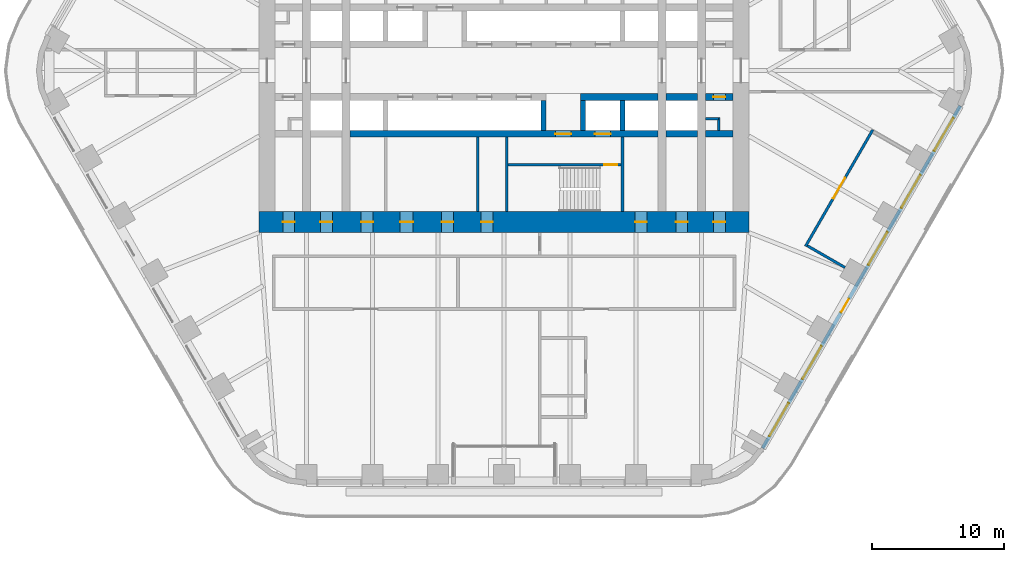
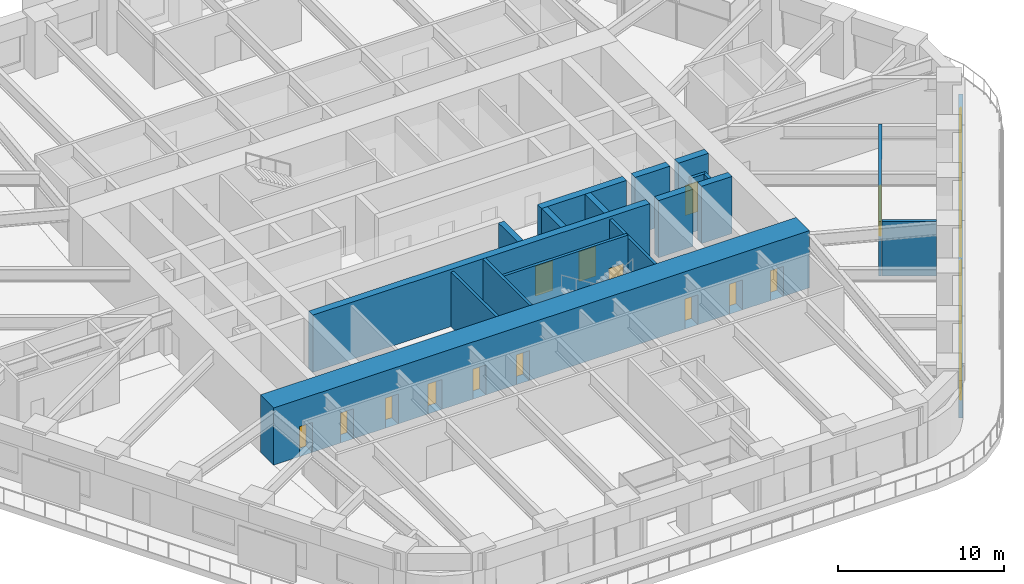
# One storey, part 18 of 24: 19 walls, 15 doors, 5 windows, 20 openings.
"""IFC4 building model written with IfcOpenShell, lengths in metres."""

from ifc_helpers import new_model, si_unit, direction, frame, frame_2d, origin, place, context, subcontext, project, spatial, rectangle, extrude, material, layer, layer_set, type_object, element, fill, save


model = new_model("IFC4")

# Units and contexts
model_context = context("Model", 3, precision=1e-05, world=origin(), true_north=direction((0.0, 1.0)))
body_context = subcontext(model_context, "Body", "Model", "MODEL_VIEW")
ifc_project = project(units=[si_unit("LENGTHUNIT", "METRE"), si_unit("AREAUNIT", "SQUARE_METRE"), si_unit("VOLUMEUNIT", "CUBIC_METRE"), si_unit("PLANEANGLEUNIT", "RADIAN"), si_unit("MASSUNIT", "GRAM", prefix="KILO")], contexts=[model_context])

# Site, building, storey
site_placement = place(None, origin())
site = spatial("IfcSite", under=ifc_project, at=site_placement, CompositionType="ELEMENT")
building_placement = place(site_placement, origin())
building = spatial("IfcBuilding", under=site, at=building_placement, Name="Tarfa Lantern Tower", CompositionType="ELEMENT")
storey_placement = place(building_placement, frame((0.0, 0.0, 157.300048828125)))
storey = spatial("IfcBuildingStorey", under=building, at=storey_placement, Name="L35", CompositionType="ELEMENT", Elevation=157.300048828125)

# Wall, openings, door, windows
ifc_material_1 = material(Name="Limestone cladding on blockwork", Category="masonry")
ifc_layer_1 = layer(ifc_material_1, 0.300048828125)
ifc_layer_set_1 = layer_set([ifc_layer_1], Name="EW1 STONE-CLAD WALL 300")
wall_type_1 = type_object("IfcWallType", Name="EW1 STONE-CLAD WALL 300", PredefinedType="SOLIDWALL", material=ifc_layer_set_1)
wall_1_placement = place(storey_placement, frame((19.644287109375, -28.675048828125, 0.0), z_axis=(0.0, 0.0, 1.0), x_axis=(0.500003084452, 0.866023622968, 0.0)))
wall_1 = element("IfcWall", 1, at=wall_1_placement, inside=storey, type_object=wall_type_1, Name="Stone wall SE", PredefinedType="SOLIDWALL", context=body_context, shape_type="SweptSolid", body=[
    extrude(rectangle(XDim=30.022216796875, YDim=0.300048828125, at=frame_2d((15.01123046875, 0.0))), origin(), (0.0, 0.0, 1.0), 2.75),
])
opening_1_placement = place(wall_1_placement, frame((1.0517578125, 0.0, 0.60009765625)))
opening_1 = element("IfcOpeningElement", 2, at=opening_1_placement, cuts=wall_1, Name="Opening W9", PredefinedType="OPENING", context=body_context, shape_type="SweptSolid", body=[
    extrude(rectangle(XDim=2.89990234375, YDim=1.89990234375, at=frame_2d((1.449951171875, 0.949951171875))), frame((0.0, 0.159912109375, 0.0), z_axis=(0.0, -1.0, 0.0), x_axis=(1.0, 0.0, 0.0)), (0.0, 0.0, 1.0), 0.320068359375),
])
opening_2_placement = place(wall_1_placement, frame((6.0556640625, 0.0, 0.60009765625)))
opening_2 = element("IfcOpeningElement", 3, at=opening_2_placement, cuts=wall_1, Name="Opening W9", PredefinedType="OPENING", context=body_context, shape_type="SweptSolid", body=[
    extrude(rectangle(XDim=2.89990234375, YDim=1.89990234375, at=frame_2d((1.449951171875, 0.949951171875))), frame((0.0, 0.159912109375, 0.0), z_axis=(0.0, -1.0, 0.0), x_axis=(1.0, 0.0, 0.0)), (0.0, 0.0, 1.0), 0.320068359375),
])
opening_3_placement = place(wall_1_placement, frame((11.9091796875, 0.0, 0.0)))
opening_3 = element("IfcOpeningElement", 4, at=opening_3_placement, cuts=wall_1, Name="Opening D49", PredefinedType="OPENING", context=body_context, shape_type="SweptSolid", body=[
    extrude(rectangle(XDim=1.199951171875, YDim=2.39990234375, at=frame_2d((0.60009765625, 1.199951171875))), frame((0.0, 0.159912109375, 0.0), z_axis=(0.0, -1.0, 0.0), x_axis=(1.0, 0.0, 0.0)), (0.0, 0.0, 1.0), 0.320068359375),
])
opening_4_placement = place(wall_1_placement, frame((16.06298828125, 0.0, 0.60009765625)))
opening_4 = element("IfcOpeningElement", 5, at=opening_4_placement, cuts=wall_1, Name="Opening W9", PredefinedType="OPENING", context=body_context, shape_type="SweptSolid", body=[
    extrude(rectangle(XDim=2.89990234375, YDim=1.89990234375, at=frame_2d((1.449951171875, 0.949951171875))), frame((0.0, 0.159912109375, 0.0), z_axis=(0.0, -1.0, 0.0), x_axis=(1.0, 0.0, 0.0)), (0.0, 0.0, 1.0), 0.320068359375),
])
opening_5_placement = place(wall_1_placement, frame((21.066650390625, 0.0, 0.60009765625)))
opening_5 = element("IfcOpeningElement", 6, at=opening_5_placement, cuts=wall_1, Name="Opening W9", PredefinedType="OPENING", context=body_context, shape_type="SweptSolid", body=[
    extrude(rectangle(XDim=2.89990234375, YDim=1.89990234375, at=frame_2d((1.449951171875, 0.949951171875))), frame((0.0, 0.159912109375, 0.0), z_axis=(0.0, -1.0, 0.0), x_axis=(1.0, 0.0, 0.0)), (0.0, 0.0, 1.0), 0.320068359375),
])
opening_6_placement = place(wall_1_placement, frame((26.0703125, 0.0, 0.60009765625)))
opening_6 = element("IfcOpeningElement", 7, at=opening_6_placement, cuts=wall_1, Name="Opening W9", PredefinedType="OPENING", context=body_context, shape_type="SweptSolid", body=[
    extrude(rectangle(XDim=2.89990234375, YDim=1.89990234375, at=frame_2d((1.449951171875, 0.949951171875))), frame((0.0, 0.159912109375, 0.0), z_axis=(0.0, -1.0, 0.0), x_axis=(1.0, 0.0, 0.0)), (0.0, 0.0, 1.0), 0.320068359375),
])
ifc_material_2 = material(Name="Aluminium framed glazed door", Category="aluminium")
door_type_1 = type_object("IfcDoorType", Name="BE3 BALCONY DOOR 1200x2400", OperationType="SINGLE_SWING_RIGHT", PredefinedType="DOOR", material=ifc_material_2)
door_1_placement = place(opening_3_placement, origin())
door_1 = element("IfcDoor", 8, at=door_1_placement, inside=storey, type_object=door_type_1, Name="Balcony door SE", OperationType="SINGLE_SWING_LEFT", OverallHeight=2.39990234375, OverallWidth=1.199951171875, PredefinedType="DOOR", context=body_context, shape_type="SweptSolid", body=[
    extrude(rectangle(XDim=1.199951171875, YDim=2.39990234375, at=frame_2d((0.60009765625, 1.199951171875))), frame((0.0, 0.02490234375, 0.0), z_axis=(0.0, -1.0, 0.0), x_axis=(1.0, 0.0, 0.0)), (0.0, 0.0, 1.0), 0.050048828125),
])
fill(opening_3, door_1)
ifc_material_3 = material(Name="Aluminium frame, double glazed", Category="aluminium")
window_type = type_object("IfcWindowType", Name="W9 FULL-HEIGHT GLAZING 2900x1900", PartitioningType="SINGLE_PANEL", PredefinedType="WINDOW", material=ifc_material_3)
window_1_placement = place(opening_1_placement, origin())
window_1 = element("IfcWindow", 9, at=window_1_placement, inside=storey, type_object=window_type, Name="Window SE 1", OverallHeight=1.89990234375, OverallWidth=2.89990234375, PartitioningType="SINGLE_PANEL", PredefinedType="WINDOW", context=body_context, shape_type="SweptSolid", body=[
    extrude(rectangle(XDim=2.89990234375, YDim=1.89990234375, at=frame_2d((1.449951171875, 0.949951171875))), frame((0.0, 0.030029296875, 0.0), z_axis=(0.0, -1.0, 0.0), x_axis=(1.0, 0.0, 0.0)), (0.0, 0.0, 1.0), 0.06005859375),
])
fill(opening_1, window_1)
window_2_placement = place(opening_2_placement, origin())
window_2 = element("IfcWindow", 10, at=window_2_placement, inside=storey, type_object=window_type, Name="Window SE 2", OverallHeight=1.89990234375, OverallWidth=2.89990234375, PartitioningType="SINGLE_PANEL", PredefinedType="WINDOW", context=body_context, shape_type="SweptSolid", body=[
    extrude(rectangle(XDim=2.89990234375, YDim=1.89990234375, at=frame_2d((1.449951171875, 0.949951171875))), frame((0.0, 0.030029296875, 0.0), z_axis=(0.0, -1.0, 0.0), x_axis=(1.0, 0.0, 0.0)), (0.0, 0.0, 1.0), 0.06005859375),
])
fill(opening_2, window_2)
window_3_placement = place(opening_4_placement, origin())
window_3 = element("IfcWindow", 11, at=window_3_placement, inside=storey, type_object=window_type, Name="Window SE 4", OverallHeight=1.89990234375, OverallWidth=2.89990234375, PartitioningType="SINGLE_PANEL", PredefinedType="WINDOW", context=body_context, shape_type="SweptSolid", body=[
    extrude(rectangle(XDim=2.89990234375, YDim=1.89990234375, at=frame_2d((1.449951171875, 0.949951171875))), frame((0.0, 0.030029296875, 0.0), z_axis=(0.0, -1.0, 0.0), x_axis=(1.0, 0.0, 0.0)), (0.0, 0.0, 1.0), 0.06005859375),
])
fill(opening_4, window_3)
window_4_placement = place(opening_5_placement, origin())
window_4 = element("IfcWindow", 12, at=window_4_placement, inside=storey, type_object=window_type, Name="Window SE 5", OverallHeight=1.89990234375, OverallWidth=2.89990234375, PartitioningType="SINGLE_PANEL", PredefinedType="WINDOW", context=body_context, shape_type="SweptSolid", body=[
    extrude(rectangle(XDim=2.89990234375, YDim=1.89990234375, at=frame_2d((1.449951171875, 0.949951171875))), frame((0.0, 0.030029296875, 0.0), z_axis=(0.0, -1.0, 0.0), x_axis=(1.0, 0.0, 0.0)), (0.0, 0.0, 1.0), 0.06005859375),
])
fill(opening_5, window_4)
window_5_placement = place(opening_6_placement, origin())
window_5 = element("IfcWindow", 13, at=window_5_placement, inside=storey, type_object=window_type, Name="Window SE 6", OverallHeight=1.89990234375, OverallWidth=2.89990234375, PartitioningType="SINGLE_PANEL", PredefinedType="WINDOW", context=body_context, shape_type="SweptSolid", body=[
    extrude(rectangle(XDim=2.89990234375, YDim=1.89990234375, at=frame_2d((1.449951171875, 0.949951171875))), frame((0.0, 0.030029296875, 0.0), z_axis=(0.0, -1.0, 0.0), x_axis=(1.0, 0.0, 0.0)), (0.0, 0.0, 1.0), 0.06005859375),
])
fill(opening_6, window_5)

# Walls
ifc_material_4 = material(Name="Concrete blockwork", Category="masonry")
ifc_layer_2 = layer(ifc_material_4, 0.199951171875)
ifc_layer_set_2 = layer_set([ifc_layer_2], Name="IW1 BLOCKWORK PARTITION 200 EI 120")
wall_type_2 = type_object("IfcWallType", Name="IW1 BLOCKWORK PARTITION 200 EI 120", PredefinedType="PARTITIONING", material=ifc_layer_set_2)
for number, where, z_axis, x_axis, name in (
    (14, (9.0, -5.050048828125, 0.0), (0.0, 0.0, 1.0), (0.0, -1.0, 0.0), "Core partition"),
    (15, (-2.0, -5.050048828125, 0.0), (0.0, 0.0, 1.0), (0.0, -1.0, 0.0), "Core partition"),
):
    element("IfcWall", number, at=place(storey_placement, frame(where, z_axis=z_axis, x_axis=x_axis)), inside=storey, type_object=wall_type_2, Name=name, PredefinedType="PARTITIONING", context=body_context, shape_type="SweptSolid", body=[
        extrude(rectangle(XDim=5.64990234375, YDim=0.199951171875, at=frame_2d((2.824951171875, 0.0))), origin(), (0.0, 0.0, 1.0), 4.0),
    ])
for number, where, z_axis, x_axis, name in (
    (16, (16.300048828125, -3.64990234375, 0.0), (0.0, 0.0, 1.0), (-1.0, 0.0, 0.0), "Core partition"),
    (17, (16.300048828125, -3.550048828125, 0.0), (0.0, 0.0, 1.0), (0.0, -1.0, 0.0), "Core partition"),
):
    element("IfcWall", number, at=place(storey_placement, frame(where, z_axis=z_axis, x_axis=x_axis)), inside=storey, type_object=wall_type_2, Name=name, PredefinedType="PARTITIONING", context=body_context, shape_type="SweptSolid", body=[
        extrude(rectangle(XDim=1.0, YDim=0.199951171875, at=frame_2d((0.5, 0.0))), origin(), (0.0, 0.0, 1.0), 4.0),
    ])

# Wall, opening, door
ifc_material_5 = material(Name="Gypsum board on steel studs", Category="steel")
ifc_layer_3 = layer(ifc_material_5, 0.2099609375)
ifc_layer_set_3 = layer_set([ifc_layer_3], Name="IW2 ACOUSTIC PARTITION 200")
wall_type_3 = type_object("IfcWallType", Name="IW2 ACOUSTIC PARTITION 200", PredefinedType="PARTITIONING", material=ifc_layer_set_3)
wall_2_placement = place(storey_placement, frame((22.899658203125, -13.336669921875, 0.0), z_axis=(0.0, 0.0, 1.0), x_axis=(0.500005407604, 0.86602228168, 0.0)))
wall_2 = element("IfcWall", 18, at=wall_2_placement, inside=storey, type_object=wall_type_3, Name="Partition", PredefinedType="PARTITIONING", context=body_context, shape_type="SweptSolid", body=[
    extrude(rectangle(XDim=10.20751953125, YDim=0.199951171875, at=frame_2d((5.103759765625, 0.0))), origin(), (0.0, 0.0, 1.0), 4.0),
])
opening_7_placement = place(wall_2_placement, frame((4.20361328125, 0.0, 0.0)))
opening_7 = element("IfcOpeningElement", 19, at=opening_7_placement, cuts=wall_2, Name="Opening D36", PredefinedType="OPENING", context=body_context, shape_type="SweptSolid", body=[
    extrude(rectangle(XDim=1.800048828125, YDim=2.39990234375, at=frame_2d((0.89990234375, 1.199951171875))), frame((0.0, 0.10986328125, 0.0), z_axis=(0.0, -1.0, 0.0), x_axis=(1.0, 0.0, 0.0)), (0.0, 0.0, 1.0), 0.219970703125),
])
ifc_material_6 = material(Name="Timber door", Category="wood")
door_type_2 = type_object("IfcDoorType", Name="DR2 ROOM DOOR 1800x2400", OperationType="DOUBLE_DOOR_SINGLE_SWING", PredefinedType="DOOR", material=ifc_material_6)
door_2_placement = place(opening_7_placement, frame((1.800048828125, 0.0, 0.0), z_axis=(0.0, 0.0, 1.0), x_axis=(-1.0, 0.0, 0.0)))
door_2 = element("IfcDoor", 20, at=door_2_placement, inside=storey, type_object=door_type_2, Name="Reading room door", OperationType="DOUBLE_DOOR_SINGLE_SWING", OverallHeight=2.39990234375, OverallWidth=1.800048828125, PredefinedType="DOOR", context=body_context, shape_type="SweptSolid", body=[
    extrude(rectangle(XDim=1.800048828125, YDim=2.39990234375, at=frame_2d((0.89990234375, 1.199951171875))), frame((0.0, 0.02490234375, 0.0), z_axis=(0.0, -1.0, 0.0), x_axis=(1.0, 0.0, 0.0)), (0.0, 0.0, 1.0), 0.050048828125),
])
fill(opening_7, door_2)

# Walls
wall_3_placement = place(storey_placement, frame((23.036376953125, -13.300048828125, 0.0), z_axis=(0.0, 0.0, 1.0), x_axis=(0.866021716278, -0.500006386895, 0.0)))
element("IfcWall", 21, at=wall_3_placement, inside=storey, type_object=wall_type_3, Name="Partition", PredefinedType="PARTITIONING", context=body_context, shape_type="SweptSolid", body=[
    extrude(rectangle(XDim=3.2998046875, YDim=0.199951171875, at=frame_2d((1.64990234375, 0.0))), origin(), (0.0, 0.0, 1.0), 4.0),
])
ifc_material_7 = material(Name="Concrete C80/95", Category="concrete")
ifc_layer_4 = layer(ifc_material_7, 0.199951171875)
ifc_layer_set_4 = layer_set([ifc_layer_4], Name="SW12 CORE WALL 200")
wall_type_4 = type_object("IfcWallType", Name="SW12 CORE WALL 200", PredefinedType="SHEAR", material=ifc_layer_set_4)
wall_4_placement = place(storey_placement, frame((0.199951171875, -5.050048828125, 0.0), z_axis=(0.0, 0.0, 1.0), x_axis=(0.0, -1.0, 0.0)))
element("IfcWall", 22, at=wall_4_placement, inside=storey, type_object=wall_type_4, Name="Core wall stair shaft S", PredefinedType="SHEAR", context=body_context, shape_type="SweptSolid", body=[
    extrude(rectangle(XDim=5.64990234375, YDim=0.199951171875, at=frame_2d((2.824951171875, 0.0))), origin(), (0.0, 0.0, 1.0), 4.199951171875),
])

# Wall, opening, door
wall_5_placement = place(storey_placement, frame((8.89990234375, -7.14990234375, 0.0), z_axis=(0.0, 0.0, 1.0), x_axis=(-1.0, 0.0, 0.0)))
wall_5 = element("IfcWall", 23, at=wall_5_placement, inside=storey, type_object=wall_type_4, Name="Core wall stair partition S", PredefinedType="SHEAR", context=body_context, shape_type="SweptSolid", body=[
    extrude(rectangle(XDim=8.599853515625, YDim=0.199951171875, at=frame_2d((4.2998046875, 0.0))), origin(), (0.0, 0.0, 1.0), 4.199951171875),
])
opening_8_placement = place(wall_5_placement, frame((0.300048828125, 0.0, 0.0)))
opening_8 = element("IfcOpeningElement", 24, at=opening_8_placement, cuts=wall_5, Name="Opening D28", PredefinedType="OPENING", context=body_context, shape_type="SweptSolid", body=[
    extrude(rectangle(XDim=1.0, YDim=2.199951171875, at=frame_2d((0.5, 1.10009765625))), frame((0.0, 0.10986328125, 0.0), z_axis=(0.0, -1.0, 0.0), x_axis=(1.0, 0.0, 0.0)), (0.0, 0.0, 1.0), 0.219970703125),
])
ifc_material_8 = material(Name="Steel fire door", Category="steel")
door_type_3 = type_object("IfcDoorType", Name="DF2 STAIR DOOR 1000x2200", OperationType="SINGLE_SWING_LEFT", PredefinedType="DOOR", material=ifc_material_8)
door_3_placement = place(opening_8_placement, origin())
door_3 = element("IfcDoor", 25, at=door_3_placement, inside=storey, type_object=door_type_3, Name="Stair door", OperationType="SINGLE_SWING_RIGHT", OverallHeight=2.199951171875, OverallWidth=1.0, PredefinedType="DOOR", context=body_context, shape_type="SweptSolid", body=[
    extrude(rectangle(XDim=1.0, YDim=2.199951171875, at=frame_2d((0.5, 1.10009765625))), frame((0.0, 0.02490234375, 0.0), z_axis=(0.0, -1.0, 0.0), x_axis=(1.0, 0.0, 0.0)), (0.0, 0.0, 1.0), 0.050048828125),
])
fill(opening_8, door_3)

ifc_layer_5 = layer(ifc_material_7, 0.5)
ifc_layer_set_5 = layer_set([ifc_layer_5], Name="SW5 CORE WALL 500")
wall_type_5 = type_object("IfcWallType", Name="SW5 CORE WALL 500", PredefinedType="SHEAR", material=ifc_layer_set_5)
wall_6_placement = place(storey_placement, frame((17.39990234375, -2.0, 0.0), z_axis=(0.0, 0.0, 1.0), x_axis=(-1.0, 0.0, 0.0)))
wall_6 = element("IfcWall", 26, at=wall_6_placement, inside=storey, type_object=wall_type_5, Name="Core wall lobby west S", PredefinedType="SHEAR", context=body_context, shape_type="SweptSolid", body=[
    extrude(rectangle(XDim=2.099853515625, YDim=0.5, at=frame_2d((1.0498046875, 0.0))), origin(), (0.0, 0.0, 1.0), 4.199951171875),
])
opening_9_placement = place(wall_6_placement, frame((0.60009765625, 0.0, 0.0)))
opening_9 = element("IfcOpeningElement", 27, at=opening_9_placement, cuts=wall_6, Name="Opening D20", PredefinedType="OPENING", context=body_context, shape_type="SweptSolid", body=[
    extrude(rectangle(XDim=0.89990234375, YDim=2.199951171875, at=frame_2d((0.449951171875, 1.10009765625))), frame((0.0, 0.260009765625, 0.0), z_axis=(0.0, -1.0, 0.0), x_axis=(1.0, 0.0, 0.0)), (0.0, 0.0, 1.0), 0.52001953125),
])
door_type_4 = type_object("IfcDoorType", Name="DF6 SERVICE ROOM DOOR 900x2200", OperationType="SINGLE_SWING_LEFT", PredefinedType="DOOR", material=ifc_material_8)
door_4_placement = place(opening_9_placement, origin())
door_4 = element("IfcDoor", 28, at=door_4_placement, inside=storey, type_object=door_type_4, Name="Service room door", OperationType="SINGLE_SWING_LEFT", OverallHeight=2.199951171875, OverallWidth=0.89990234375, PredefinedType="DOOR", context=body_context, shape_type="SweptSolid", body=[
    extrude(rectangle(XDim=0.89990234375, YDim=2.199951171875, at=frame_2d((0.449951171875, 1.10009765625))), frame((0.0, 0.02490234375, 0.0), z_axis=(0.0, -1.0, 0.0), x_axis=(1.0, 0.0, 0.0)), (0.0, 0.0, 1.0), 0.050048828125),
])
fill(opening_9, door_4)

# Walls
wall_7_placement = place(storey_placement, frame((14.699951171875, -2.0, 0.0), z_axis=(0.0, 0.0, 1.0), x_axis=(-1.0, 0.0, 0.0)))
element("IfcWall", 29, at=wall_7_placement, inside=storey, type_object=wall_type_5, Name="Core wall lobby west S", PredefinedType="SHEAR", context=body_context, shape_type="SweptSolid", body=[
    extrude(rectangle(XDim=2.39990234375, YDim=0.5, at=frame_2d((1.199951171875, 0.0))), origin(), (0.0, 0.0, 1.0), 4.199951171875),
])
wall_8_placement = place(storey_placement, frame((11.699951171875, -2.0, 0.0), z_axis=(0.0, 0.0, 1.0), x_axis=(-1.0, 0.0, 0.0)))
element("IfcWall", 30, at=wall_8_placement, inside=storey, type_object=wall_type_5, Name="Core wall lobby west S", PredefinedType="SHEAR", context=body_context, shape_type="SweptSolid", body=[
    extrude(rectangle(XDim=5.89990234375, YDim=0.5, at=frame_2d((2.949951171875, 0.0))), origin(), (0.0, 0.0, 1.0), 4.199951171875),
])
wall_9_placement = place(storey_placement, frame((17.39990234375, -4.800048828125, 0.0), z_axis=(0.0, 0.0, 1.0), x_axis=(-1.0, 0.0, 0.0)))
element("IfcWall", 31, at=wall_9_placement, inside=storey, type_object=wall_type_5, Name="Core wall rear S", PredefinedType="SHEAR", context=body_context, shape_type="SweptSolid", body=[
    extrude(rectangle(XDim=2.099853515625, YDim=0.5, at=frame_2d((1.0498046875, 0.0))), origin(), (0.0, 0.0, 1.0), 4.199951171875),
])
wall_10_placement = place(storey_placement, frame((14.699951171875, -4.800048828125, 0.0), z_axis=(0.0, 0.0, 1.0), x_axis=(-1.0, 0.0, 0.0)))
element("IfcWall", 32, at=wall_10_placement, inside=storey, type_object=wall_type_5, Name="Core wall rear S", PredefinedType="SHEAR", context=body_context, shape_type="SweptSolid", body=[
    extrude(rectangle(XDim=2.39990234375, YDim=0.5, at=frame_2d((1.199951171875, 0.0))), origin(), (0.0, 0.0, 1.0), 4.199951171875),
])

# Wall, openings, doors
wall_11_placement = place(storey_placement, frame((11.699951171875, -4.800048828125, 0.0), z_axis=(0.0, 0.0, 1.0), x_axis=(-1.0, 0.0, 0.0)))
wall_11 = element("IfcWall", 33, at=wall_11_placement, inside=storey, type_object=wall_type_5, Name="Core wall rear S", PredefinedType="SHEAR", context=body_context, shape_type="SweptSolid", body=[
    extrude(rectangle(XDim=23.39990234375, YDim=0.5, at=frame_2d((11.699951171875, 0.0))), origin(), (0.0, 0.0, 1.0), 4.199951171875),
])
opening_10_placement = place(wall_11_placement, frame((6.60009765625, 0.0, 0.0)))
opening_10 = element("IfcOpeningElement", 34, at=opening_10_placement, cuts=wall_11, Name="Opening D14", PredefinedType="OPENING", context=body_context, shape_type="SweptSolid", body=[
    extrude(rectangle(XDim=1.199951171875, YDim=2.199951171875, at=frame_2d((0.60009765625, 1.10009765625))), frame((0.0, 0.260009765625, 0.0), z_axis=(0.0, -1.0, 0.0), x_axis=(1.0, 0.0, 0.0)), (0.0, 0.0, 1.0), 0.52001953125),
])
opening_11_placement = place(wall_11_placement, frame((3.60009765625, 0.0, 0.0)))
opening_11 = element("IfcOpeningElement", 35, at=opening_11_placement, cuts=wall_11, Name="Opening LD02", PredefinedType="OPENING", context=body_context, shape_type="SweptSolid", body=[
    extrude(rectangle(XDim=1.199951171875, YDim=2.199951171875, at=frame_2d((0.60009765625, 1.10009765625))), frame((0.0, 0.260009765625, 0.0), z_axis=(0.0, -1.0, 0.0), x_axis=(1.0, 0.0, 0.0)), (0.0, 0.0, 1.0), 0.52001953125),
])
door_type_5 = type_object("IfcDoorType", Name="DF1 FIREFIGHTING LOBBY DOOR 1200x2200", OperationType="SINGLE_SWING_LEFT", PredefinedType="DOOR", material=ifc_material_8)
door_5_placement = place(opening_10_placement, origin())
door_5 = element("IfcDoor", 36, at=door_5_placement, inside=storey, type_object=door_type_5, Name="Firefighting lobby door", OperationType="SINGLE_SWING_LEFT", OverallHeight=2.199951171875, OverallWidth=1.199951171875, PredefinedType="DOOR", context=body_context, shape_type="SweptSolid", body=[
    extrude(rectangle(XDim=1.199951171875, YDim=2.199951171875, at=frame_2d((0.60009765625, 1.10009765625))), frame((0.0, 0.02490234375, 0.0), z_axis=(0.0, -1.0, 0.0), x_axis=(1.0, 0.0, 0.0)), (0.0, 0.0, 1.0), 0.050048828125),
])
fill(opening_10, door_5)
ifc_material_9 = material(Name="Stainless steel lift door", Category="steel")
door_type_6 = type_object("IfcDoorType", Name="LD1 LIFT LANDING DOOR 1200x2200", OperationType="SLIDING_TO_LEFT", PredefinedType="DOOR", material=ifc_material_9)
door_6_placement = place(opening_11_placement, origin())
door_6 = element("IfcDoor", 37, at=door_6_placement, inside=storey, type_object=door_type_6, Name="Landing door FL2", OperationType="SLIDING_TO_LEFT", OverallHeight=2.199951171875, OverallWidth=1.199951171875, PredefinedType="DOOR", context=body_context, shape_type="SweptSolid", body=[
    extrude(rectangle(XDim=1.199951171875, YDim=2.199951171875, at=frame_2d((0.60009765625, 1.10009765625))), frame((0.0, 0.02490234375, 0.0), z_axis=(0.0, -1.0, 0.0), x_axis=(1.0, 0.0, 0.0)), (0.0, 0.0, 1.0), 0.050048828125),
])
fill(opening_11, door_6)

# Walls
ifc_layer_6 = layer(ifc_material_7, 0.39990234375)
ifc_layer_set_6 = layer_set([ifc_layer_6], Name="SW6 CORE WALL 400")
wall_type_6 = type_object("IfcWallType", Name="SW6 CORE WALL 400", PredefinedType="SHEAR", material=ifc_layer_set_6)
for number, where, z_axis, x_axis, name in (
    (38, (9.0, -2.25, 0.0), (0.0, 0.0, 1.0), (0.0, -1.0, 0.0), "Core wall divider S"),
    (39, (6.0, -2.25, 0.0), (0.0, 0.0, 1.0), (0.0, -1.0, 0.0), "Core wall divider S"),
    (40, (3.0, -2.25, 0.0), (0.0, 0.0, 1.0), (0.0, -1.0, 0.0), "Core wall divider S"),
):
    element("IfcWall", number, at=place(storey_placement, frame(where, z_axis=z_axis, x_axis=x_axis)), inside=storey, type_object=wall_type_6, Name=name, PredefinedType="SHEAR", context=body_context, shape_type="SweptSolid", body=[
        extrude(rectangle(XDim=2.300048828125, YDim=0.39990234375, at=frame_2d((1.14990234375, 0.0))), origin(), (0.0, 0.0, 1.0), 4.199951171875),
    ])

# Wall, openings, doors
ifc_layer_7 = layer(ifc_material_7, 1.60009765625)
ifc_layer_set_7 = layer_set([ifc_layer_7], Name="SW7 CORE WALL 1600")
wall_type_7 = type_object("IfcWallType", Name="SW7 CORE WALL 1600", PredefinedType="SHEAR", material=ifc_layer_set_7)
wall_12_placement = place(storey_placement, frame((18.60009765625, -11.5, 0.0), z_axis=(0.0, 0.0, 1.0), x_axis=(-1.0, 0.0, 0.0)))
wall_12 = element("IfcWall", 41, at=wall_12_placement, inside=storey, type_object=wall_type_7, Name="Core wall S", PredefinedType="SHEAR", context=body_context, shape_type="SweptSolid", body=[
    extrude(rectangle(XDim=37.2001953125, YDim=1.60009765625, at=frame_2d((18.60009765625, 0.0))), origin(), (0.0, 0.0, 1.0), 4.199951171875),
])
opening_12_placement = place(wall_12_placement, frame((19.449951171875, 0.0, 0.0)))
opening_12 = element("IfcOpeningElement", 42, at=opening_12_placement, cuts=wall_12, Name="Opening D22", PredefinedType="OPENING", context=body_context, shape_type="SweptSolid", body=[
    extrude(rectangle(XDim=0.89990234375, YDim=2.199951171875, at=frame_2d((0.449951171875, 1.10009765625))), frame((0.0, 0.81005859375, 0.0), z_axis=(0.0, -1.0, 0.0), x_axis=(1.0, 0.0, 0.0)), (0.0, 0.0, 1.0), 1.6201171875),
])
opening_13_placement = place(wall_12_placement, frame((22.449951171875, 0.0, 0.0)))
opening_13 = element("IfcOpeningElement", 43, at=opening_13_placement, cuts=wall_12, Name="Opening D24", PredefinedType="OPENING", context=body_context, shape_type="SweptSolid", body=[
    extrude(rectangle(XDim=0.89990234375, YDim=2.199951171875, at=frame_2d((0.449951171875, 1.10009765625))), frame((0.0, 0.81005859375, 0.0), z_axis=(0.0, -1.0, 0.0), x_axis=(1.0, 0.0, 0.0)), (0.0, 0.0, 1.0), 1.6201171875),
])
opening_14_placement = place(wall_12_placement, frame((25.5, 0.0, 0.0)))
opening_14 = element("IfcOpeningElement", 44, at=opening_14_placement, cuts=wall_12, Name="Opening D26", PredefinedType="OPENING", context=body_context, shape_type="SweptSolid", body=[
    extrude(rectangle(XDim=1.0, YDim=2.199951171875, at=frame_2d((0.5, 1.10009765625))), frame((0.0, 0.81005859375, 0.0), z_axis=(0.0, -1.0, 0.0), x_axis=(1.0, 0.0, 0.0)), (0.0, 0.0, 1.0), 1.6201171875),
])
opening_15_placement = place(wall_12_placement, frame((1.800048828125, 0.0, 0.0)))
opening_15 = element("IfcOpeningElement", 45, at=opening_15_placement, cuts=wall_12, Name="Opening D12", PredefinedType="OPENING", context=body_context, shape_type="SweptSolid", body=[
    extrude(rectangle(XDim=0.89990234375, YDim=2.199951171875, at=frame_2d((0.449951171875, 1.10009765625))), frame((0.0, 0.81005859375, 0.0), z_axis=(0.0, -1.0, 0.0), x_axis=(1.0, 0.0, 0.0)), (0.0, 0.0, 1.0), 1.6201171875),
])
opening_16_placement = place(wall_12_placement, frame((4.64990234375, 0.0, 0.0)))
opening_16 = element("IfcOpeningElement", 46, at=opening_16_placement, cuts=wall_12, Name="Opening D08", PredefinedType="OPENING", context=body_context, shape_type="SweptSolid", body=[
    extrude(rectangle(XDim=0.89990234375, YDim=2.199951171875, at=frame_2d((0.449951171875, 1.10009765625))), frame((0.0, 0.81005859375, 0.0), z_axis=(0.0, -1.0, 0.0), x_axis=(1.0, 0.0, 0.0)), (0.0, 0.0, 1.0), 1.6201171875),
])
opening_17_placement = place(wall_12_placement, frame((7.75, 0.0, 0.0)))
opening_17 = element("IfcOpeningElement", 47, at=opening_17_placement, cuts=wall_12, Name="Opening D10", PredefinedType="OPENING", context=body_context, shape_type="SweptSolid", body=[
    extrude(rectangle(XDim=0.89990234375, YDim=2.199951171875, at=frame_2d((0.449951171875, 1.10009765625))), frame((0.0, 0.81005859375, 0.0), z_axis=(0.0, -1.0, 0.0), x_axis=(1.0, 0.0, 0.0)), (0.0, 0.0, 1.0), 1.6201171875),
])
opening_18_placement = place(wall_12_placement, frame((28.550048828125, 0.0, 0.0)))
opening_18 = element("IfcOpeningElement", 48, at=opening_18_placement, cuts=wall_12, Name="Opening D06", PredefinedType="OPENING", context=body_context, shape_type="SweptSolid", body=[
    extrude(rectangle(XDim=0.89990234375, YDim=2.199951171875, at=frame_2d((0.449951171875, 1.10009765625))), frame((0.0, 0.81005859375, 0.0), z_axis=(0.0, -1.0, 0.0), x_axis=(1.0, 0.0, 0.0)), (0.0, 0.0, 1.0), 1.6201171875),
])
opening_19_placement = place(wall_12_placement, frame((31.64990234375, 0.0, 0.0)))
opening_19 = element("IfcOpeningElement", 49, at=opening_19_placement, cuts=wall_12, Name="Opening D02", PredefinedType="OPENING", context=body_context, shape_type="SweptSolid", body=[
    extrude(rectangle(XDim=0.89990234375, YDim=2.199951171875, at=frame_2d((0.449951171875, 1.10009765625))), frame((0.0, 0.81005859375, 0.0), z_axis=(0.0, -1.0, 0.0), x_axis=(1.0, 0.0, 0.0)), (0.0, 0.0, 1.0), 1.6201171875),
])
opening_20_placement = place(wall_12_placement, frame((34.5, 0.0, 0.0)))
opening_20 = element("IfcOpeningElement", 50, at=opening_20_placement, cuts=wall_12, Name="Opening D04", PredefinedType="OPENING", context=body_context, shape_type="SweptSolid", body=[
    extrude(rectangle(XDim=0.89990234375, YDim=2.199951171875, at=frame_2d((0.449951171875, 1.10009765625))), frame((0.0, 0.81005859375, 0.0), z_axis=(0.0, -1.0, 0.0), x_axis=(1.0, 0.0, 0.0)), (0.0, 0.0, 1.0), 1.6201171875),
])
door_type_7 = type_object("IfcDoorType", Name="DF3 CORE ROOM DOOR 900x2200", OperationType="SINGLE_SWING_LEFT", PredefinedType="DOOR", material=ifc_material_8)
door_7_placement = place(opening_12_placement, frame((0.89990234375, 0.0, 0.0), z_axis=(0.0, 0.0, 1.0), x_axis=(-1.0, 0.0, 0.0)))
door_7 = element("IfcDoor", 51, at=door_7_placement, inside=storey, type_object=door_type_7, Name="Core door", OperationType="SINGLE_SWING_RIGHT", OverallHeight=2.199951171875, OverallWidth=0.89990234375, PredefinedType="DOOR", context=body_context, shape_type="SweptSolid", body=[
    extrude(rectangle(XDim=0.89990234375, YDim=2.199951171875, at=frame_2d((0.449951171875, 1.10009765625))), frame((0.0, 0.02490234375, 0.0), z_axis=(0.0, -1.0, 0.0), x_axis=(1.0, 0.0, 0.0)), (0.0, 0.0, 1.0), 0.050048828125),
])
fill(opening_12, door_7)
door_8_placement = place(opening_13_placement, frame((0.89990234375, 0.0, 0.0), z_axis=(0.0, 0.0, 1.0), x_axis=(-1.0, 0.0, 0.0)))
door_8 = element("IfcDoor", 52, at=door_8_placement, inside=storey, type_object=door_type_7, Name="Core door", OperationType="SINGLE_SWING_LEFT", OverallHeight=2.199951171875, OverallWidth=0.89990234375, PredefinedType="DOOR", context=body_context, shape_type="SweptSolid", body=[
    extrude(rectangle(XDim=0.89990234375, YDim=2.199951171875, at=frame_2d((0.449951171875, 1.10009765625))), frame((0.0, 0.02490234375, 0.0), z_axis=(0.0, -1.0, 0.0), x_axis=(1.0, 0.0, 0.0)), (0.0, 0.0, 1.0), 0.050048828125),
])
fill(opening_13, door_8)
door_type_8 = type_object("IfcDoorType", Name="DF4 CORE ROOM DOOR 1000x2200", OperationType="SINGLE_SWING_LEFT", PredefinedType="DOOR", material=ifc_material_8)
door_9_placement = place(opening_14_placement, frame((1.0, 0.0, 0.0), z_axis=(0.0, 0.0, 1.0), x_axis=(-1.0, 0.0, 0.0)))
door_9 = element("IfcDoor", 53, at=door_9_placement, inside=storey, type_object=door_type_8, Name="Core door", OperationType="SINGLE_SWING_RIGHT", OverallHeight=2.199951171875, OverallWidth=1.0, PredefinedType="DOOR", context=body_context, shape_type="SweptSolid", body=[
    extrude(rectangle(XDim=1.0, YDim=2.199951171875, at=frame_2d((0.5, 1.10009765625))), frame((0.0, 0.02490234375, 0.0), z_axis=(0.0, -1.0, 0.0), x_axis=(1.0, 0.0, 0.0)), (0.0, 0.0, 1.0), 0.050048828125),
])
fill(opening_14, door_9)
door_type_9 = type_object("IfcDoorType", Name="DF5 RISER DOOR 900x2200", OperationType="SINGLE_SWING_LEFT", PredefinedType="DOOR", material=ifc_material_8)
door_10_placement = place(opening_15_placement, frame((0.89990234375, 0.0, 0.0), z_axis=(0.0, 0.0, 1.0), x_axis=(-1.0, 0.0, 0.0)))
door_10 = element("IfcDoor", 54, at=door_10_placement, inside=storey, type_object=door_type_9, Name="Riser door", OperationType="SINGLE_SWING_LEFT", OverallHeight=2.199951171875, OverallWidth=0.89990234375, PredefinedType="DOOR", context=body_context, shape_type="SweptSolid", body=[
    extrude(rectangle(XDim=0.89990234375, YDim=2.199951171875, at=frame_2d((0.449951171875, 1.10009765625))), frame((0.0, 0.02490234375, 0.0), z_axis=(0.0, -1.0, 0.0), x_axis=(1.0, 0.0, 0.0)), (0.0, 0.0, 1.0), 0.050048828125),
])
fill(opening_15, door_10)
door_11_placement = place(opening_16_placement, frame((0.89990234375, 0.0, 0.0), z_axis=(0.0, 0.0, 1.0), x_axis=(-1.0, 0.0, 0.0)))
door_11 = element("IfcDoor", 55, at=door_11_placement, inside=storey, type_object=door_type_9, Name="Riser door", OperationType="SINGLE_SWING_LEFT", OverallHeight=2.199951171875, OverallWidth=0.89990234375, PredefinedType="DOOR", context=body_context, shape_type="SweptSolid", body=[
    extrude(rectangle(XDim=0.89990234375, YDim=2.199951171875, at=frame_2d((0.449951171875, 1.10009765625))), frame((0.0, 0.02490234375, 0.0), z_axis=(0.0, -1.0, 0.0), x_axis=(1.0, 0.0, 0.0)), (0.0, 0.0, 1.0), 0.050048828125),
])
fill(opening_16, door_11)
door_12_placement = place(opening_17_placement, frame((0.89990234375, 0.0, 0.0), z_axis=(0.0, 0.0, 1.0), x_axis=(-1.0, 0.0, 0.0)))
door_12 = element("IfcDoor", 56, at=door_12_placement, inside=storey, type_object=door_type_9, Name="Riser door", OperationType="SINGLE_SWING_LEFT", OverallHeight=2.199951171875, OverallWidth=0.89990234375, PredefinedType="DOOR", context=body_context, shape_type="SweptSolid", body=[
    extrude(rectangle(XDim=0.89990234375, YDim=2.199951171875, at=frame_2d((0.449951171875, 1.10009765625))), frame((0.0, 0.02490234375, 0.0), z_axis=(0.0, -1.0, 0.0), x_axis=(1.0, 0.0, 0.0)), (0.0, 0.0, 1.0), 0.050048828125),
])
fill(opening_17, door_12)
door_13_placement = place(opening_18_placement, frame((0.89990234375, 0.0, 0.0), z_axis=(0.0, 0.0, 1.0), x_axis=(-1.0, 0.0, 0.0)))
door_13 = element("IfcDoor", 57, at=door_13_placement, inside=storey, type_object=door_type_9, Name="Riser door", OperationType="SINGLE_SWING_RIGHT", OverallHeight=2.199951171875, OverallWidth=0.89990234375, PredefinedType="DOOR", context=body_context, shape_type="SweptSolid", body=[
    extrude(rectangle(XDim=0.89990234375, YDim=2.199951171875, at=frame_2d((0.449951171875, 1.10009765625))), frame((0.0, 0.02490234375, 0.0), z_axis=(0.0, -1.0, 0.0), x_axis=(1.0, 0.0, 0.0)), (0.0, 0.0, 1.0), 0.050048828125),
])
fill(opening_18, door_13)
door_14_placement = place(opening_19_placement, frame((0.89990234375, 0.0, 0.0), z_axis=(0.0, 0.0, 1.0), x_axis=(-1.0, 0.0, 0.0)))
door_14 = element("IfcDoor", 58, at=door_14_placement, inside=storey, type_object=door_type_9, Name="Riser door", OperationType="SINGLE_SWING_RIGHT", OverallHeight=2.199951171875, OverallWidth=0.89990234375, PredefinedType="DOOR", context=body_context, shape_type="SweptSolid", body=[
    extrude(rectangle(XDim=0.89990234375, YDim=2.199951171875, at=frame_2d((0.449951171875, 1.10009765625))), frame((0.0, 0.02490234375, 0.0), z_axis=(0.0, -1.0, 0.0), x_axis=(1.0, 0.0, 0.0)), (0.0, 0.0, 1.0), 0.050048828125),
])
fill(opening_19, door_14)
door_15_placement = place(opening_20_placement, frame((0.89990234375, 0.0, 0.0), z_axis=(0.0, 0.0, 1.0), x_axis=(-1.0, 0.0, 0.0)))
door_15 = element("IfcDoor", 59, at=door_15_placement, inside=storey, type_object=door_type_9, Name="Riser door", OperationType="SINGLE_SWING_RIGHT", OverallHeight=2.199951171875, OverallWidth=0.89990234375, PredefinedType="DOOR", context=body_context, shape_type="SweptSolid", body=[
    extrude(rectangle(XDim=0.89990234375, YDim=2.199951171875, at=frame_2d((0.449951171875, 1.10009765625))), frame((0.0, 0.02490234375, 0.0), z_axis=(0.0, -1.0, 0.0), x_axis=(1.0, 0.0, 0.0)), (0.0, 0.0, 1.0), 0.050048828125),
])
fill(opening_20, door_15)

save(model, "model.ifc")
